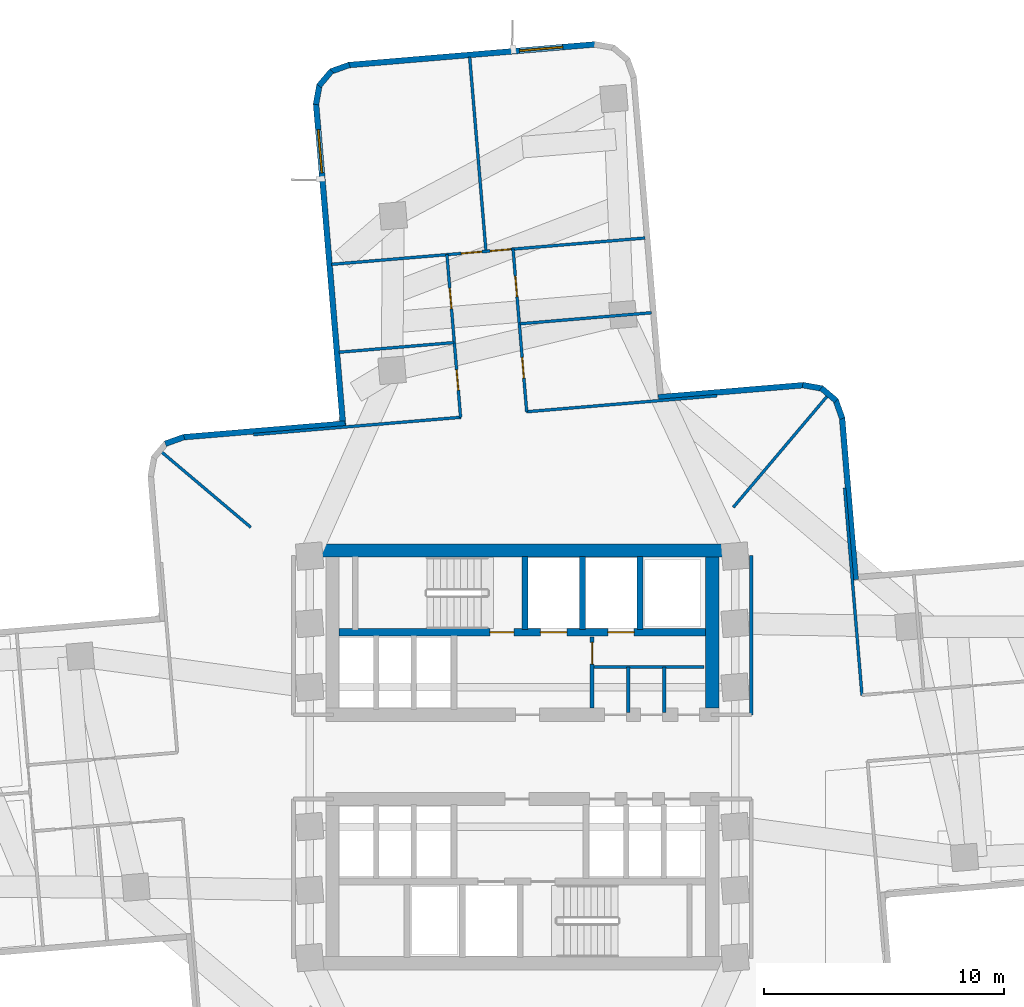
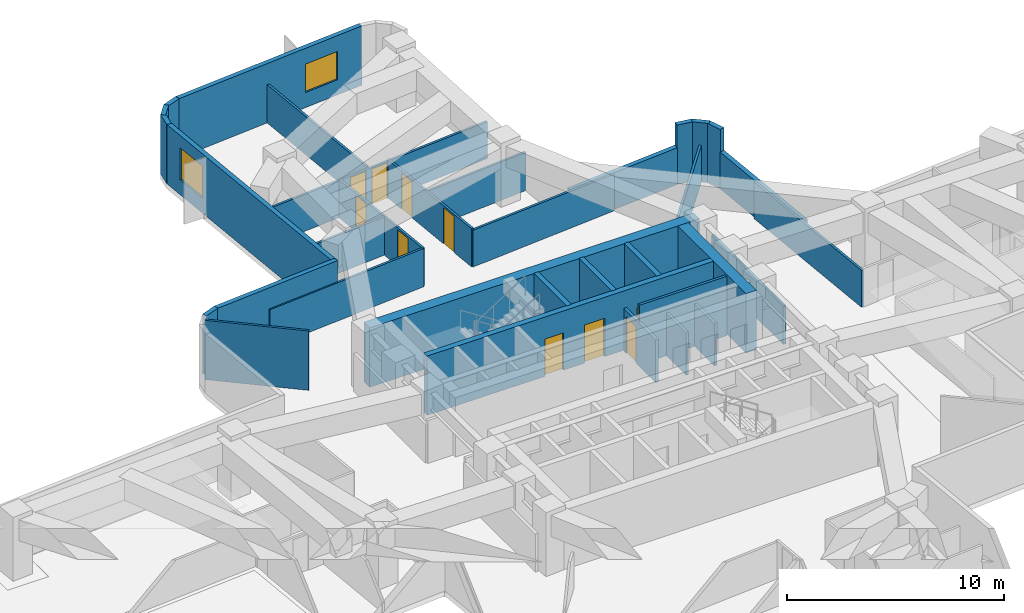
# One storey, part 5 of 11: 34 walls, 10 doors, 2 windows, 12 openings.
"""IFC4 building model written with IfcOpenShell, lengths in metres."""

from ifc_helpers import new_model, si_unit, direction, frame, frame_2d, origin, place, context, subcontext, project, spatial, rectangle, extrude, material, layer, layer_set, type_object, element, fill, save


model = new_model("IFC4")

# Units and contexts
model_context = context("Model", 3, precision=1e-05, world=origin(), true_north=direction((0.0, 1.0)))
body_context = subcontext(model_context, "Body", "Model", "MODEL_VIEW")
ifc_project = project(units=[si_unit("LENGTHUNIT", "METRE"), si_unit("AREAUNIT", "SQUARE_METRE"), si_unit("VOLUMEUNIT", "CUBIC_METRE"), si_unit("PLANEANGLEUNIT", "RADIAN"), si_unit("MASSUNIT", "GRAM", prefix="KILO")], contexts=[model_context])

# Site, building, storey
site_placement = place(None, origin())
site = spatial("IfcSite", under=ifc_project, at=site_placement, CompositionType="ELEMENT")
building_placement = place(site_placement, origin())
building = spatial("IfcBuilding", under=site, at=building_placement, Name="Solmarez Civic Tower", CompositionType="ELEMENT")
storey_placement = place(building_placement, frame((0.0, 0.0, 64.080078125)))
storey = spatial("IfcBuildingStorey", under=building, at=storey_placement, Name="L16", CompositionType="ELEMENT", Elevation=64.080078125)

# Walls
ifc_material_1 = material(Name="Concrete C60/75", Category="concrete")
ifc_layer_1 = layer(ifc_material_1, 0.550048828125)
ifc_layer_set_1 = layer_set([ifc_layer_1], Name="Concrete C60/75")
wall_type_1 = type_object("IfcWallType", Name="WALL-CORE-550", PredefinedType="SHEAR", material=ifc_layer_set_1)
wall_1_placement = place(storey_placement, frame((-8.780029296875, 8.5849609375, 0.0), z_axis=(0.0, 0.0, 1.0), x_axis=(1.0, 0.0, 0.0)))
element("IfcWall", 1, at=wall_1_placement, inside=storey, type_object=wall_type_1, Name="L16 Split-Core Structural Wall NCW-N-L16", PredefinedType="SHEAR", context=body_context, shape_type="SweptSolid", body=[
    extrude(rectangle(XDim=17.56005859375, YDim=0.550048828125, at=frame_2d((8.780029296875, 0.0))), origin(), (0.0, 0.0, 1.0), 3.33984375),
])
wall_2_placement = place(storey_placement, frame((7.89501953125, 8.31005859375, 0.0), z_axis=(0.0, 0.0, 1.0), x_axis=(0.0, -1.0, 0.0)))
element("IfcWall", 2, at=wall_2_placement, inside=storey, type_object=wall_type_1, Name="L16 Split-Core Structural Wall NCW-E-L16", PredefinedType="SHEAR", context=body_context, shape_type="SweptSolid", body=[
    extrude(rectangle(XDim=6.28515625, YDim=0.550048828125, at=frame_2d((3.142578125, 0.0))), origin(), (0.0, 0.0, 1.0), 3.33984375),
])
ifc_material_2 = material(Name="Precast concrete C40/50", Category="concrete")
ifc_layer_2 = layer(ifc_material_2, 0.239990234375)
ifc_layer_set_2 = layer_set([ifc_layer_2], Name="Precast concrete C40/50")
wall_type_2 = type_object("IfcWallType", Name="WALL-EXT-240", PredefinedType="SOLIDWALL", material=ifc_layer_set_2)
wall_3_placement = place(storey_placement, frame((-14.85400390625, 13.02490234375, 0.0), z_axis=(0.0, 0.0, 1.0), x_axis=(0.941455621898, 0.337136933599, 0.0)))
element("IfcWall", 3, at=wall_3_placement, inside=storey, type_object=wall_type_2, Name="L16 Exterior Precast Wall 16", PredefinedType="SOLIDWALL", context=body_context, shape_type="SweptSolid", body=[
    extrude(rectangle(XDim=0.83056640625, YDim=0.239990234375, at=frame_2d((0.415283203125, 0.0))), origin(), (0.0, 0.0, 1.0), 3.33984375),
])
wall_4_placement = place(storey_placement, frame((-14.12109375, 13.294921875, 0.0), z_axis=(0.0, 0.0, 1.0), x_axis=(0.99648986367, 0.083713509088, 0.0)))
element("IfcWall", 4, at=wall_4_placement, inside=storey, type_object=wall_type_2, Name="L16 Exterior Precast Wall 17", PredefinedType="SOLIDWALL", context=body_context, shape_type="SweptSolid", body=[
    extrude(rectangle(XDim=6.774658203125, YDim=0.239990234375, at=frame_2d((3.38720703125, 0.0))), origin(), (0.0, 0.0, 1.0), 3.33984375),
])

# Wall, opening, window
wall_5_placement = place(storey_placement, frame((-7.4580078125, 13.758056640625, 0.0), z_axis=(0.0, 0.0, 1.0), x_axis=(-0.083631732273, 0.996496730229, 0.0)))
wall_5 = element("IfcWall", 5, at=wall_5_placement, inside=storey, type_object=wall_type_2, Name="L16 Exterior Precast Wall 20", PredefinedType="SOLIDWALL", context=body_context, shape_type="SweptSolid", body=[
    extrude(rectangle(XDim=13.47509765625, YDim=0.239990234375, at=frame_2d((6.737548828125, 0.0))), origin(), (0.0, 0.0, 1.0), 3.33984375),
])
opening_1_placement = place(wall_5_placement, frame((10.574951171875, 0.0, 0.85009765625)))
opening_1 = element("IfcOpeningElement", 6, at=opening_1_placement, cuts=wall_5, Name="Opening W-08", PredefinedType="OPENING", context=body_context, shape_type="SweptSolid", body=[
    extrude(rectangle(XDim=1.800048828125, YDim=1.800048828125, at=frame_2d((0.89990234375, 0.89990234375))), frame((0.0, 0.1298828125, 0.0), z_axis=(0.0, -1.0, 0.0), x_axis=(1.0, 0.0, 0.0)), (0.0, 0.0, 1.0), 0.260009765625),
])
ifc_material_3 = material(Name="Solar Control Bronze-Tinted Insulating Glass", Category="glass")
window_type_1 = type_object("IfcWindowType", Name="WIN-1800X1800", PartitioningType="SINGLE_PANEL", PredefinedType="WINDOW", material=ifc_material_3)
window_1_placement = place(opening_1_placement, origin())
window_1 = element("IfcWindow", 7, at=window_1_placement, inside=storey, type_object=window_type_1, Name="L16 Exterior Facade Window 20", OverallHeight=1.800048828125, OverallWidth=1.800048828125, PartitioningType="SINGLE_PANEL", PredefinedType="WINDOW", context=body_context, shape_type="SweptSolid", body=[
    extrude(rectangle(XDim=1.800048828125, YDim=1.800048828125, at=frame_2d((0.89990234375, 0.89990234375))), frame((0.0, 0.030029296875, 0.0), z_axis=(0.0, -1.0, 0.0), x_axis=(1.0, 0.0, 0.0)), (0.0, 0.0, 1.0), 0.06005859375),
])
fill(opening_1, window_1)

# Walls
wall_6_placement = place(storey_placement, frame((-8.5869140625, 27.135986328125, 0.0), z_axis=(0.0, 0.0, 1.0), x_axis=(0.175678791378, 0.98444754165, 0.0)))
element("IfcWall", 8, at=wall_6_placement, inside=storey, type_object=wall_type_2, Name="L16 Exterior Precast Wall 21", PredefinedType="SOLIDWALL", context=body_context, shape_type="SweptSolid", body=[
    extrude(rectangle(XDim=0.8310546875, YDim=0.239990234375, at=frame_2d((0.41552734375, 0.0))), origin(), (0.0, 0.0, 1.0), 3.33984375),
])
wall_7_placement = place(storey_placement, frame((-8.4609375, 27.909912109375, 0.0), z_axis=(0.0, 0.0, 1.0), x_axis=(0.644892840611, 0.764273003664, 0.0)))
element("IfcWall", 9, at=wall_7_placement, inside=storey, type_object=wall_type_2, Name="L16 Exterior Precast Wall 22", PredefinedType="SOLIDWALL", context=body_context, shape_type="SweptSolid", body=[
    extrude(rectangle(XDim=0.81396484375, YDim=0.239990234375, at=frame_2d((0.406982421875, 0.0))), origin(), (0.0, 0.0, 1.0), 3.33984375),
])
wall_8_placement = place(storey_placement, frame((-7.97607421875, 28.5048828125, 0.0), z_axis=(0.0, 0.0, 1.0), x_axis=(0.941455621898, 0.337136933599, 0.0)))
element("IfcWall", 10, at=wall_8_placement, inside=storey, type_object=wall_type_2, Name="L16 Exterior Precast Wall 23", PredefinedType="SOLIDWALL", context=body_context, shape_type="SweptSolid", body=[
    extrude(rectangle(XDim=0.83056640625, YDim=0.239990234375, at=frame_2d((0.415283203125, 0.0))), origin(), (0.0, 0.0, 1.0), 3.33984375),
])

# Wall, opening, window
wall_9_placement = place(storey_placement, frame((-7.242919921875, 28.77490234375, 0.0), z_axis=(0.0, 0.0, 1.0), x_axis=(0.996496471002, 0.083634820983, 0.0)))
wall_9 = element("IfcWall", 11, at=wall_9_placement, inside=storey, type_object=wall_type_2, Name="L16 Exterior Precast Wall 24", PredefinedType="SOLIDWALL", context=body_context, shape_type="SweptSolid", body=[
    extrude(rectangle(XDim=10.319091796875, YDim=0.239990234375, at=frame_2d((5.15966796875, 0.0))), origin(), (0.0, 0.0, 1.0), 3.33984375),
])
opening_2_placement = place(wall_9_placement, frame((7.14892578125, 0.0, 0.85009765625)))
opening_2 = element("IfcOpeningElement", 12, at=opening_2_placement, cuts=wall_9, Name="Opening W-12", PredefinedType="OPENING", context=body_context, shape_type="SweptSolid", body=[
    extrude(rectangle(XDim=1.800048828125, YDim=1.60009765625, at=frame_2d((0.89990234375, 0.800048828125))), frame((0.0, 0.1298828125, 0.0), z_axis=(0.0, -1.0, 0.0), x_axis=(1.0, 0.0, 0.0)), (0.0, 0.0, 1.0), 0.260009765625),
])
window_type_2 = type_object("IfcWindowType", Name="WIN-1800X1600", PartitioningType="SINGLE_PANEL", PredefinedType="WINDOW", material=ifc_material_3)
window_2_placement = place(opening_2_placement, origin())
window_2 = element("IfcWindow", 13, at=window_2_placement, inside=storey, type_object=window_type_2, Name="L16 Exterior Facade Window 24", OverallHeight=1.60009765625, OverallWidth=1.800048828125, PartitioningType="SINGLE_PANEL", PredefinedType="WINDOW", context=body_context, shape_type="SweptSolid", body=[
    extrude(rectangle(XDim=1.800048828125, YDim=1.60009765625, at=frame_2d((0.89990234375, 0.800048828125))), frame((0.0, 0.030029296875, 0.0), z_axis=(0.0, -1.0, 0.0), x_axis=(1.0, 0.0, 0.0)), (0.0, 0.0, 1.0), 0.06005859375),
])
fill(opening_2, window_2)

# Walls
wall_10_placement = place(storey_placement, frame((5.652099609375, 14.9560546875, 0.0), z_axis=(0.0, 0.0, 1.0), x_axis=(0.996497087711, 0.083627472659, 0.0)))
element("IfcWall", 14, at=wall_10_placement, inside=storey, type_object=wall_type_2, Name="L16 Exterior Precast Wall 31", PredefinedType="SOLIDWALL", context=body_context, shape_type="SweptSolid", body=[
    extrude(rectangle(XDim=6.0751953125, YDim=0.239990234375, at=frame_2d((3.03759765625, 0.0))), origin(), (0.0, 0.0, 1.0), 2.072021484375),
])
wall_11_placement = place(storey_placement, frame((11.656005859375, 15.466064453125, 0.0), z_axis=(0.0, 0.0, 1.0), x_axis=(0.98444754165, -0.175678791378, 0.0)))
element("IfcWall", 15, at=wall_11_placement, inside=storey, type_object=wall_type_2, Name="L16 Exterior Precast Wall 32", PredefinedType="SOLIDWALL", context=body_context, shape_type="SweptSolid", body=[
    extrude(rectangle(XDim=0.8310546875, YDim=0.239990234375, at=frame_2d((0.41552734375, 0.0))), origin(), (0.0, 0.0, 1.0), 3.33984375),
])
wall_12_placement = place(storey_placement, frame((12.429931640625, 15.340087890625, 0.0), z_axis=(0.0, 0.0, 1.0), x_axis=(0.763534028842, -0.645767595037, 0.0)))
element("IfcWall", 16, at=wall_12_placement, inside=storey, type_object=wall_type_2, Name="L16 Exterior Precast Wall 33", PredefinedType="SOLIDWALL", context=body_context, shape_type="SweptSolid", body=[
    extrude(rectangle(XDim=0.814697265625, YDim=0.239990234375, at=frame_2d((0.4072265625, 0.0))), origin(), (0.0, 0.0, 1.0), 3.33984375),
])
wall_13_placement = place(storey_placement, frame((13.02490234375, 14.85400390625, 0.0), z_axis=(0.0, 0.0, 1.0), x_axis=(0.337136933599, -0.941455621898, 0.0)))
element("IfcWall", 17, at=wall_13_placement, inside=storey, type_object=wall_type_2, Name="L16 Exterior Precast Wall 34", PredefinedType="SOLIDWALL", context=body_context, shape_type="SweptSolid", body=[
    extrude(rectangle(XDim=0.83056640625, YDim=0.239990234375, at=frame_2d((0.415283203125, 0.0))), origin(), (0.0, 0.0, 1.0), 3.33984375),
])
wall_14_placement = place(storey_placement, frame((13.294921875, 14.12109375, 0.0), z_axis=(0.0, 0.0, 1.0), x_axis=(0.083713509088, -0.99648986367, 0.0)))
element("IfcWall", 18, at=wall_14_placement, inside=storey, type_object=wall_type_2, Name="L16 Exterior Precast Wall 35", PredefinedType="SOLIDWALL", context=body_context, shape_type="SweptSolid", body=[
    extrude(rectangle(XDim=6.774658203125, YDim=0.239990234375, at=frame_2d((3.38720703125, 0.0))), origin(), (0.0, 0.0, 1.0), 2.072021484375),
])
ifc_material_4 = material(Name="Gypsum Board Acoustic Steel-Stud Partition", Category="steel")
ifc_layer_3 = layer(ifc_material_4, 0.14990234375)
ifc_layer_set_3 = layer_set([ifc_layer_3], Name="Gypsum Board Acoustic Steel-Stud Partition")
wall_type_3 = type_object("IfcWallType", Name="WALL-INT-FIRE-150", PredefinedType="PARTITIONING", material=ifc_layer_set_3)
wall_15_placement = place(storey_placement, frame((9.52001953125, 1.75, 0.0), z_axis=(0.0, 0.0, 1.0), x_axis=(0.0, 1.0, 0.0)))
element("IfcWall", 19, at=wall_15_placement, inside=storey, type_object=wall_type_3, Name="L16 Interior Partition CHW-L16-EN1", PredefinedType="PARTITIONING", context=body_context, shape_type="SweptSolid", body=[
    extrude(rectangle(XDim=6.6298828125, YDim=0.14990234375, at=frame_2d((3.31494140625, 0.0))), origin(), (0.0, 0.0, 1.0), 2.15185546875),
])
ifc_layer_4 = layer(ifc_material_4, 0.1201171875)
ifc_layer_set_4 = layer_set([ifc_layer_4], Name="Gypsum Board Acoustic Steel-Stud Partition")
wall_type_4 = type_object("IfcWallType", Name="WALL-INT-PART-120", PredefinedType="PARTITIONING", material=ifc_layer_set_4)
wall_16_placement = place(storey_placement, frame((8.77197265625, 10.3798828125, 0.0), z_axis=(0.0, 0.0, 1.0), x_axis=(0.645424146464, 0.763824371935, 0.0)))
element("IfcWall", 20, at=wall_16_placement, inside=storey, type_object=wall_type_4, Name="L16 Interior Partition PT-L16-QDIV-1", PredefinedType="PARTITIONING", context=body_context, shape_type="SweptSolid", body=[
    extrude(rectangle(XDim=6.064208984375, YDim=0.1201171875, at=frame_2d((3.0322265625, 0.0))), origin(), (0.0, 0.0, 1.0), 2.072021484375),
])
wall_17_placement = place(storey_placement, frame((-11.300048828125, 9.549072265625, 0.0), z_axis=(0.0, 0.0, 1.0), x_axis=(-0.763780578352, 0.645475970221, 0.0)))
element("IfcWall", 21, at=wall_17_placement, inside=storey, type_object=wall_type_4, Name="L16 Interior Partition PT-L16-QDIV-2", PredefinedType="PARTITIONING", context=body_context, shape_type="SweptSolid", body=[
    extrude(rectangle(XDim=4.85986328125, YDim=0.1201171875, at=frame_2d((2.429931640625, 0.0))), origin(), (0.0, 0.0, 1.0), 3.33984375),
])
wall_18_placement = place(storey_placement, frame((14.125, 2.56103515625, 0.0), z_axis=(0.0, 0.0, 1.0), x_axis=(-0.083580419953, 0.996501035323, 0.0)))
element("IfcWall", 22, at=wall_18_placement, inside=storey, type_object=wall_type_4, Name="L16 Interior Partition PT-L16-E-EFL", PredefinedType="PARTITIONING", context=body_context, shape_type="SweptSolid", body=[
    extrude(rectangle(XDim=8.649169921875, YDim=0.1201171875, at=frame_2d((4.32470703125, 0.0))), origin(), (0.0, 0.0, 1.0), 2.072021484375),
])
wall_19_placement = place(storey_placement, frame((-2.56103515625, 14.125, 0.0), z_axis=(0.0, 0.0, 1.0), x_axis=(-0.996501035323, -0.083580419953, 0.0)))
element("IfcWall", 23, at=wall_19_placement, inside=storey, type_object=wall_type_4, Name="L16 Interior Partition PT-L16-N-EFL", PredefinedType="PARTITIONING", context=body_context, shape_type="SweptSolid", body=[
    extrude(rectangle(XDim=8.649169921875, YDim=0.1201171875, at=frame_2d((4.32470703125, 0.0))), origin(), (0.0, 0.0, 1.0), 2.15185546875),
])
wall_20_placement = place(storey_placement, frame((8.091064453125, 15.02001953125, 0.0), z_axis=(0.0, 0.0, 1.0), x_axis=(-0.99649495528, -0.083652878615, 0.0)))
element("IfcWall", 24, at=wall_20_placement, inside=storey, type_object=wall_type_4, Name="L16 Interior Partition PT-L16-N-EFR", PredefinedType="PARTITIONING", context=body_context, shape_type="SweptSolid", body=[
    extrude(rectangle(XDim=7.949951171875, YDim=0.1201171875, at=frame_2d((3.97509765625, 0.0))), origin(), (0.0, 0.0, 1.0), 2.072021484375),
])
wall_21_placement = place(storey_placement, frame((-2.85205078125, 17.23193359375, 0.0), z_axis=(0.0, 0.0, 1.0), x_axis=(-0.996498541433, -0.083610148443, 0.0)))
element("IfcWall", 25, at=wall_21_placement, inside=storey, type_object=wall_type_4, Name="L16 Interior Partition PT-L16-N-LM", PredefinedType="PARTITIONING", context=body_context, shape_type="SweptSolid", body=[
    extrude(rectangle(XDim=4.794677734375, YDim=0.1201171875, at=frame_2d((2.3974609375, 0.0))), origin(), (0.0, 0.0, 1.0), 2.15185546875),
])
wall_22_placement = place(storey_placement, frame((5.367919921875, 18.47412109375, 0.0), z_axis=(0.0, 0.0, 1.0), x_axis=(-0.996486987726, -0.08374773605, 0.0)))
element("IfcWall", 26, at=wall_22_placement, inside=storey, type_object=wall_type_4, Name="L16 Interior Partition PT-L16-N-RM", PredefinedType="PARTITIONING", context=body_context, shape_type="SweptSolid", body=[
    extrude(rectangle(XDim=5.4951171875, YDim=0.1201171875, at=frame_2d((2.74755859375, 0.0))), origin(), (0.0, 0.0, 1.0), 2.15185546875),
])

# Wall, openings, doors
wall_23_placement = place(storey_placement, frame((-3.138916015625, 20.89111328125, 0.0), z_axis=(0.0, 0.0, 1.0), x_axis=(0.083622669872, -0.996497490756, 0.0)))
wall_23 = element("IfcWall", 27, at=wall_23_placement, inside=storey, type_object=wall_type_4, Name="L16 Interior Partition PT-L16-N-SL", PredefinedType="PARTITIONING", context=body_context, shape_type="SweptSolid", body=[
    extrude(rectangle(XDim=6.790771484375, YDim=0.1201171875, at=frame_2d((3.3955078125, 0.0))), origin(), (0.0, 0.0, 1.0), 2.15185546875),
])
opening_3_placement = place(wall_23_placement, frame((4.801025390625, 0.0, 0.0)))
opening_3 = element("IfcOpeningElement", 28, at=opening_3_placement, cuts=wall_23, Name="Opening D-14", PredefinedType="OPENING", context=body_context, shape_type="SweptSolid", body=[
    extrude(rectangle(XDim=0.860107421875, YDim=2.0400390625, at=frame_2d((0.43017578125, 1.02001953125))), frame((0.0, 0.070068359375, 0.0), z_axis=(0.0, -1.0, 0.0), x_axis=(1.0, 0.0, 0.0)), (0.0, 0.0, 1.0), 0.14013671875),
])
opening_4_placement = place(wall_23_placement, frame((1.406005859375, 0.0, 0.0)))
opening_4 = element("IfcOpeningElement", 29, at=opening_4_placement, cuts=wall_23, Name="Opening D-14", PredefinedType="OPENING", context=body_context, shape_type="SweptSolid", body=[
    extrude(rectangle(XDim=0.860107421875, YDim=2.0400390625, at=frame_2d((0.43017578125, 1.02001953125))), frame((0.0, 0.070068359375, 0.0), z_axis=(0.0, -1.0, 0.0), x_axis=(1.0, 0.0, 0.0)), (0.0, 0.0, 1.0), 0.14013671875),
])
ifc_material_5 = material(Name="Timber Storage and Pantry Door", Category="wood")
door_type_1 = type_object("IfcDoorType", Name="DOOR-INT-850", OperationType="NOTDEFINED", PredefinedType="DOOR", material=ifc_material_5)
door_1_placement = place(opening_3_placement, origin())
door_1 = element("IfcDoor", 30, at=door_1_placement, inside=storey, type_object=door_type_1, Name="L16 Delegation Concierge Room First North Door", OperationType="SINGLE_SWING_LEFT", OverallHeight=2.0400390625, OverallWidth=0.860107421875, PredefinedType="DOOR", context=body_context, shape_type="SweptSolid", body=[
    extrude(rectangle(XDim=0.860107421875, YDim=2.0400390625, at=frame_2d((0.43017578125, 1.02001953125))), frame((0.0, 0.02490234375, 0.0), z_axis=(0.0, -1.0, 0.0), x_axis=(1.0, 0.0, 0.0)), (0.0, 0.0, 1.0), 0.050048828125),
])
fill(opening_3, door_1)
door_2_placement = place(opening_4_placement, origin())
door_2 = element("IfcDoor", 31, at=door_2_placement, inside=storey, type_object=door_type_1, Name="L16 Security Control Room Second North Door", OperationType="SINGLE_SWING_RIGHT", OverallHeight=2.0400390625, OverallWidth=0.860107421875, PredefinedType="DOOR", context=body_context, shape_type="SweptSolid", body=[
    extrude(rectangle(XDim=0.860107421875, YDim=2.0400390625, at=frame_2d((0.43017578125, 1.02001953125))), frame((0.0, 0.02490234375, 0.0), z_axis=(0.0, -1.0, 0.0), x_axis=(1.0, 0.0, 0.0)), (0.0, 0.0, 1.0), 0.050048828125),
])
fill(opening_4, door_2)

wall_24_placement = place(storey_placement, frame((0.178955078125, 14.35498046875, 0.0), z_axis=(0.0, 0.0, 1.0), x_axis=(-0.083622669872, 0.996497490756, 0.0)))
wall_24 = element("IfcWall", 32, at=wall_24_placement, inside=storey, type_object=wall_type_4, Name="L16 Interior Partition PT-L16-N-SR", PredefinedType="PARTITIONING", context=body_context, shape_type="SweptSolid", body=[
    extrude(rectangle(XDim=6.790771484375, YDim=0.1201171875, at=frame_2d((3.3955078125, 0.0))), origin(), (0.0, 0.0, 1.0), 2.15185546875),
])
opening_5_placement = place(wall_24_placement, frame((1.405029296875, 0.0, 0.0)))
opening_5 = element("IfcOpeningElement", 33, at=opening_5_placement, cuts=wall_24, Name="Opening D-14", PredefinedType="OPENING", context=body_context, shape_type="SweptSolid", body=[
    extrude(rectangle(XDim=0.860107421875, YDim=2.0400390625, at=frame_2d((0.43017578125, 1.02001953125))), frame((0.0, 0.070068359375, 0.0), z_axis=(0.0, -1.0, 0.0), x_axis=(1.0, 0.0, 0.0)), (0.0, 0.0, 1.0), 0.14013671875),
])
opening_6_placement = place(wall_24_placement, frame((4.800048828125, 0.0, 0.0)))
opening_6 = element("IfcOpeningElement", 34, at=opening_6_placement, cuts=wall_24, Name="Opening D-14", PredefinedType="OPENING", context=body_context, shape_type="SweptSolid", body=[
    extrude(rectangle(XDim=0.860107421875, YDim=2.0400390625, at=frame_2d((0.43017578125, 1.02001953125))), frame((0.0, 0.070068359375, 0.0), z_axis=(0.0, -1.0, 0.0), x_axis=(1.0, 0.0, 0.0)), (0.0, 0.0, 1.0), 0.14013671875),
])
door_3_placement = place(opening_5_placement, origin())
door_3 = element("IfcDoor", 35, at=door_3_placement, inside=storey, type_object=door_type_1, Name="L16 Ministry Conference Room Third North Door", OperationType="SINGLE_SWING_RIGHT", OverallHeight=2.0400390625, OverallWidth=0.860107421875, PredefinedType="DOOR", context=body_context, shape_type="SweptSolid", body=[
    extrude(rectangle(XDim=0.860107421875, YDim=2.0400390625, at=frame_2d((0.43017578125, 1.02001953125))), frame((0.0, 0.02490234375, 0.0), z_axis=(0.0, -1.0, 0.0), x_axis=(1.0, 0.0, 0.0)), (0.0, 0.0, 1.0), 0.050048828125),
])
fill(opening_5, door_3)
door_4_placement = place(opening_6_placement, origin())
door_4 = element("IfcDoor", 36, at=door_4_placement, inside=storey, type_object=door_type_1, Name="L16 Public Reception Room Fourth North Door", OperationType="SINGLE_SWING_LEFT", OverallHeight=2.0400390625, OverallWidth=0.860107421875, PredefinedType="DOOR", context=body_context, shape_type="SweptSolid", body=[
    extrude(rectangle(XDim=0.860107421875, YDim=2.0400390625, at=frame_2d((0.43017578125, 1.02001953125))), frame((0.0, 0.02490234375, 0.0), z_axis=(0.0, -1.0, 0.0), x_axis=(1.0, 0.0, 0.0)), (0.0, 0.0, 1.0), 0.050048828125),
])
fill(opening_6, door_4)

# Wall
wall_25_placement = place(storey_placement, frame((-1.52001953125, 21.0869140625, 0.0), z_axis=(0.0, 0.0, 1.0), x_axis=(-0.083680047246, 0.996492674179, 0.0)))
element("IfcWall", 37, at=wall_25_placement, inside=storey, type_object=wall_type_4, Name="L16 Interior Partition PT-L16-N-TM", PredefinedType="PARTITIONING", context=body_context, shape_type="SweptSolid", body=[
    extrude(rectangle(XDim=8.055419921875, YDim=0.1201171875, at=frame_2d((4.02783203125, 0.0))), origin(), (0.0, 0.0, 1.0), 2.15185546875),
])

# Wall, openings, doors
wall_26_placement = place(storey_placement, frame((-7.93701171875, 20.487060546875, 0.0), z_axis=(0.0, 0.0, 1.0), x_axis=(0.996488930494, 0.083724616474, 0.0)))
wall_26 = element("IfcWall", 38, at=wall_26_placement, inside=storey, type_object=wall_type_4, Name="L16 Interior Partition PT-L16-N-END", PredefinedType="PARTITIONING", context=body_context, shape_type="SweptSolid", body=[
    extrude(rectangle(XDim=13.08984375, YDim=0.1201171875, at=frame_2d((6.544921875, 0.0))), origin(), (0.0, 0.0, 1.0), 2.072021484375),
])
opening_7_placement = place(wall_26_placement, frame((6.614990234375, 0.0, 0.0)))
opening_7 = element("IfcOpeningElement", 39, at=opening_7_placement, cuts=wall_26, Name="Opening D-19", PredefinedType="OPENING", context=body_context, shape_type="SweptSolid", body=[
    extrude(rectangle(XDim=0.860107421875, YDim=2.0, at=frame_2d((0.43017578125, 1.0))), frame((0.0, 0.070068359375, 0.0), z_axis=(0.0, -1.0, 0.0), x_axis=(1.0, 0.0, 0.0)), (0.0, 0.0, 1.0), 0.14013671875),
])
opening_8_placement = place(wall_26_placement, frame((5.4150390625, 0.0, 0.0)))
opening_8 = element("IfcOpeningElement", 40, at=opening_8_placement, cuts=wall_26, Name="Opening D-19", PredefinedType="OPENING", context=body_context, shape_type="SweptSolid", body=[
    extrude(rectangle(XDim=0.860107421875, YDim=2.0, at=frame_2d((0.43017578125, 1.0))), frame((0.0, 0.070068359375, 0.0), z_axis=(0.0, -1.0, 0.0), x_axis=(1.0, 0.0, 0.0)), (0.0, 0.0, 1.0), 0.14013671875),
])
ifc_material_6 = material(Name="Timber Low-Headroom Storage and Pantry Door", Category="wood")
door_type_2 = type_object("IfcDoorType", Name="DOOR-INT-850-2000", OperationType="NOTDEFINED", PredefinedType="DOOR", material=ifc_material_6)
door_5_placement = place(opening_7_placement, origin())
door_5 = element("IfcDoor", 41, at=door_5_placement, inside=storey, type_object=door_type_2, Name="L16 Public Reception Room Sixth North Door", OperationType="SINGLE_SWING_RIGHT", OverallHeight=2.0, OverallWidth=0.860107421875, PredefinedType="DOOR", context=body_context, shape_type="SweptSolid", body=[
    extrude(rectangle(XDim=0.860107421875, YDim=2.0, at=frame_2d((0.43017578125, 1.0))), frame((0.0, 0.02490234375, 0.0), z_axis=(0.0, -1.0, 0.0), x_axis=(1.0, 0.0, 0.0)), (0.0, 0.0, 1.0), 0.050048828125),
])
fill(opening_7, door_5)
door_6_placement = place(opening_8_placement, origin())
door_6 = element("IfcDoor", 42, at=door_6_placement, inside=storey, type_object=door_type_2, Name="L16 Ministry Conference Room Fifth North Door", OperationType="SINGLE_SWING_LEFT", OverallHeight=2.0, OverallWidth=0.860107421875, PredefinedType="DOOR", context=body_context, shape_type="SweptSolid", body=[
    extrude(rectangle(XDim=0.860107421875, YDim=2.0, at=frame_2d((0.43017578125, 1.0))), frame((0.0, 0.02490234375, 0.0), z_axis=(0.0, -1.0, 0.0), x_axis=(1.0, 0.0, 0.0)), (0.0, 0.0, 1.0), 0.050048828125),
])
fill(opening_8, door_6)

# Wall, opening, door
ifc_layer_5 = layer(ifc_material_4, 0.159912109375)
ifc_layer_set_5 = layer_set([ifc_layer_5], Name="Gypsum Board Acoustic Steel-Stud Partition")
wall_type_5 = type_object("IfcWallType", Name="WALL-INT-SHAFT-160", PredefinedType="PARTITIONING", material=ifc_layer_set_5)
wall_27_placement = place(storey_placement, frame((2.89990234375, 2.0400390625, 0.0), z_axis=(0.0, 0.0, 1.0), x_axis=(0.0, 1.0, 0.0)))
wall_27 = element("IfcWall", 43, at=wall_27_placement, inside=storey, type_object=wall_type_5, Name="L16 Interior Partition SHW-NL2-L16", PredefinedType="PARTITIONING", context=body_context, shape_type="SweptSolid", body=[
    extrude(rectangle(XDim=2.93994140625, YDim=0.159912109375, at=frame_2d((1.469970703125, 0.0))), origin(), (0.0, 0.0, 1.0), 2.405029296875),
])
opening_9_placement = place(wall_27_placement, frame((1.820068359375, 0.0, 0.0)))
opening_9 = element("IfcOpeningElement", 44, at=opening_9_placement, cuts=wall_27, Name="Opening D-09", PredefinedType="OPENING", context=body_context, shape_type="SweptSolid", body=[
    extrude(rectangle(XDim=0.89990234375, YDim=2.06005859375, at=frame_2d((0.449951171875, 1.030029296875))), frame((0.0, 0.08984375, 0.0), z_axis=(0.0, -1.0, 0.0), x_axis=(1.0, 0.0, 0.0)), (0.0, 0.0, 1.0), 0.179931640625),
])
ifc_material_7 = material(Name="Fire-Rated Service Core Door", Category="wood")
door_type_3 = type_object("IfcDoorType", Name="DOOR-FD60-900", OperationType="NOTDEFINED", PredefinedType="DOOR", material=ifc_material_7)
door_7_placement = place(opening_9_placement, origin())
door_7 = element("IfcDoor", 45, at=door_7_placement, inside=storey, type_object=door_type_3, Name="L16 Service Lift Lobby Door", OperationType="SINGLE_SWING_LEFT", OverallHeight=2.06005859375, OverallWidth=0.89990234375, PredefinedType="DOOR", context=body_context, shape_type="SweptSolid", body=[
    extrude(rectangle(XDim=0.89990234375, YDim=2.06005859375, at=frame_2d((0.449951171875, 1.030029296875))), frame((0.0, 0.02490234375, 0.0), z_axis=(0.0, -1.0, 0.0), x_axis=(1.0, 0.0, 0.0)), (0.0, 0.0, 1.0), 0.050048828125),
])
fill(opening_9, door_7)

# Walls
ifc_layer_6 = layer(ifc_material_4, 0.137939453125)
ifc_layer_set_6 = layer_set([ifc_layer_6], Name="Gypsum Board Acoustic Steel-Stud Partition")
wall_type_6 = type_object("IfcWallType", Name="WALL-INT-WET-140", PredefinedType="PARTITIONING", material=ifc_layer_set_6)
wall_28_placement = place(storey_placement, frame((2.89990234375, 3.739990234375, 0.0), z_axis=(0.0, 0.0, 1.0), x_axis=(1.0, 0.0, 0.0)))
element("IfcWall", 46, at=wall_28_placement, inside=storey, type_object=wall_type_6, Name="L16 Interior Partition SHW-SVH-L16", PredefinedType="PARTITIONING", context=body_context, shape_type="SweptSolid", body=[
    extrude(rectangle(XDim=4.650146484375, YDim=0.137939453125, at=frame_2d((2.3251953125, 0.0))), origin(), (0.0, 0.0, 1.0), 3.33984375),
])
for number, where, z_axis, x_axis, name in (
    (47, (4.39990234375, 1.85009765625, 0.0), (0.0, 0.0, 1.0), (0.0, 1.0, 0.0), "L16 Interior Partition PT-NCSV1-L16"),
    (48, (5.89990234375, 1.85009765625, 0.0), (0.0, 0.0, 1.0), (0.0, 1.0, 0.0), "L16 Interior Partition PT-NCSV2-L16"),
):
    element("IfcWall", number, at=place(storey_placement, frame(where, z_axis=z_axis, x_axis=x_axis)), inside=storey, type_object=wall_type_6, Name=name, PredefinedType="PARTITIONING", context=body_context, shape_type="SweptSolid", body=[
        extrude(rectangle(XDim=1.889892578125, YDim=0.137939453125, at=frame_2d((0.94482421875, 0.0))), origin(), (0.0, 0.0, 1.0), 2.405029296875),
    ])

# Wall, openings, doors
ifc_material_8 = material(Name="Concrete C50/60", Category="concrete")
ifc_layer_7 = layer(ifc_material_8, 0.300048828125)
ifc_layer_set_7 = layer_set([ifc_layer_7], Name="Concrete C50/60")
wall_type_7 = type_object("IfcWallType", Name="WALL-STR-300", PredefinedType="SOLIDWALL", material=ifc_layer_set_7)
wall_29_placement = place(storey_placement, frame((7.6201171875, 5.179931640625, 0.0), z_axis=(0.0, 0.0, 1.0), x_axis=(-1.0, 0.0, 0.0)))
wall_29 = element("IfcWall", 49, at=wall_29_placement, inside=storey, type_object=wall_type_7, Name="L16 Split-Core Structural Wall NCW-M-L16", PredefinedType="SOLIDWALL", context=body_context, shape_type="SweptSolid", body=[
    extrude(rectangle(XDim=15.240234375, YDim=0.300048828125, at=frame_2d((7.6201171875, 0.0))), origin(), (0.0, 0.0, 1.0), 3.33984375),
])
opening_10_placement = place(wall_29_placement, frame((5.77001953125, 0.0, 0.0)))
opening_10 = element("IfcOpeningElement", 50, at=opening_10_placement, cuts=wall_29, Name="Opening LD-02", PredefinedType="OPENING", context=body_context, shape_type="SweptSolid", body=[
    extrude(rectangle(XDim=1.10009765625, YDim=2.14990234375, at=frame_2d((0.550048828125, 1.074951171875))), frame((0.0, 0.159912109375, 0.0), z_axis=(0.0, -1.0, 0.0), x_axis=(1.0, 0.0, 0.0)), (0.0, 0.0, 1.0), 0.320068359375),
])
opening_11_placement = place(wall_29_placement, frame((2.969970703125, 0.0, 0.0)))
opening_11 = element("IfcOpeningElement", 51, at=opening_11_placement, cuts=wall_29, Name="Opening LD-03", PredefinedType="OPENING", context=body_context, shape_type="SweptSolid", body=[
    extrude(rectangle(XDim=1.10009765625, YDim=2.14990234375, at=frame_2d((0.550048828125, 1.074951171875))), frame((0.0, 0.159912109375, 0.0), z_axis=(0.0, -1.0, 0.0), x_axis=(1.0, 0.0, 0.0)), (0.0, 0.0, 1.0), 0.320068359375),
])
opening_12_placement = place(wall_29_placement, frame((7.969970703125, 0.0, 0.0)))
opening_12 = element("IfcOpeningElement", 52, at=opening_12_placement, cuts=wall_29, Name="Opening D-05", PredefinedType="OPENING", context=body_context, shape_type="SweptSolid", body=[
    extrude(rectangle(XDim=1.0, YDim=2.10009765625, at=frame_2d((0.5, 1.050048828125))), frame((0.0, 0.159912109375, 0.0), z_axis=(0.0, -1.0, 0.0), x_axis=(1.0, 0.0, 0.0)), (0.0, 0.0, 1.0), 0.320068359375),
])
ifc_material_9 = material(Name="Fire-Rated Stairwell Exit Door", Category="wood")
door_type_4 = type_object("IfcDoorType", Name="DOOR-FD90-1000", OperationType="NOTDEFINED", PredefinedType="DOOR", material=ifc_material_9)
door_8_placement = place(opening_12_placement, origin())
door_8 = element("IfcDoor", 53, at=door_8_placement, inside=storey, type_object=door_type_4, Name="L16 North Exit Stair Door ST-1", OperationType="SINGLE_SWING_LEFT", OverallHeight=2.10009765625, OverallWidth=1.0, PredefinedType="DOOR", context=body_context, shape_type="SweptSolid", body=[
    extrude(rectangle(XDim=1.0, YDim=2.10009765625, at=frame_2d((0.5, 1.050048828125))), frame((0.0, 0.02490234375, 0.0), z_axis=(0.0, -1.0, 0.0), x_axis=(1.0, 0.0, 0.0)), (0.0, 0.0, 1.0), 0.050048828125),
])
fill(opening_12, door_8)
ifc_material_10 = material(Name="Stainless Firefighting Lift Landing Sliding Door", Category="aluminium")
door_type_5 = type_object("IfcDoorType", Name="DOOR-LD-FF-1100", OperationType="DOUBLE_DOOR_SLIDING", PredefinedType="DOOR", material=ifc_material_10)
door_9_placement = place(opening_10_placement, origin())
door_9 = element("IfcDoor", 54, at=door_9_placement, inside=storey, type_object=door_type_5, Name="L16 Firefighting Lift Landing Door FFL-1", OperationType="DOUBLE_DOOR_SLIDING", OverallHeight=2.14990234375, OverallWidth=1.10009765625, PredefinedType="DOOR", context=body_context, shape_type="SweptSolid", body=[
    extrude(rectangle(XDim=1.10009765625, YDim=2.14990234375, at=frame_2d((0.550048828125, 1.074951171875))), frame((0.0, 0.02490234375, 0.0), z_axis=(0.0, -1.0, 0.0), x_axis=(1.0, 0.0, 0.0)), (0.0, 0.0, 1.0), 0.050048828125),
])
fill(opening_10, door_9)
ifc_material_11 = material(Name="Stainless Stretcher Lift Landing Sliding Door", Category="aluminium")
door_type_6 = type_object("IfcDoorType", Name="DOOR-LD-SV-1100", OperationType="DOUBLE_DOOR_SLIDING", PredefinedType="DOOR", material=ifc_material_11)
door_10_placement = place(opening_11_placement, origin())
door_10 = element("IfcDoor", 55, at=door_10_placement, inside=storey, type_object=door_type_6, Name="L16 Service Stretcher Lift Landing Door SVL-1", OperationType="DOUBLE_DOOR_SLIDING", OverallHeight=2.14990234375, OverallWidth=1.10009765625, PredefinedType="DOOR", context=body_context, shape_type="SweptSolid", body=[
    extrude(rectangle(XDim=1.10009765625, YDim=2.14990234375, at=frame_2d((0.550048828125, 1.074951171875))), frame((0.0, 0.02490234375, 0.0), z_axis=(0.0, -1.0, 0.0), x_axis=(1.0, 0.0, 0.0)), (0.0, 0.0, 1.0), 0.050048828125),
])
fill(opening_11, door_10)

# Walls
for number, where, z_axis, x_axis, name in (
    (56, (0.10009765625, 5.300048828125, 0.0), (0.0, 0.0, 1.0), (0.0, 1.0, 0.0), "L16 Split-Core Structural Wall SHW-N1-L16"),
    (57, (2.5, 5.300048828125, 0.0), (0.0, 0.0, 1.0), (0.0, 1.0, 0.0), "L16 Split-Core Structural Wall SHW-N2-L16"),
    (58, (4.89990234375, 5.300048828125, 0.0), (0.0, 0.0, 1.0), (0.0, 1.0, 0.0), "L16 Split-Core Structural Wall SHW-N3-L16"),
):
    element("IfcWall", number, at=place(storey_placement, frame(where, z_axis=z_axis, x_axis=x_axis)), inside=storey, type_object=wall_type_7, Name=name, PredefinedType="SOLIDWALL", context=body_context, shape_type="SweptSolid", body=[
        extrude(rectangle(XDim=3.0400390625, YDim=0.25, at=frame_2d((1.52001953125, 0.0))), origin(), (0.0, 0.0, 1.0), 3.33984375),
    ])

save(model, "model.ifc")
